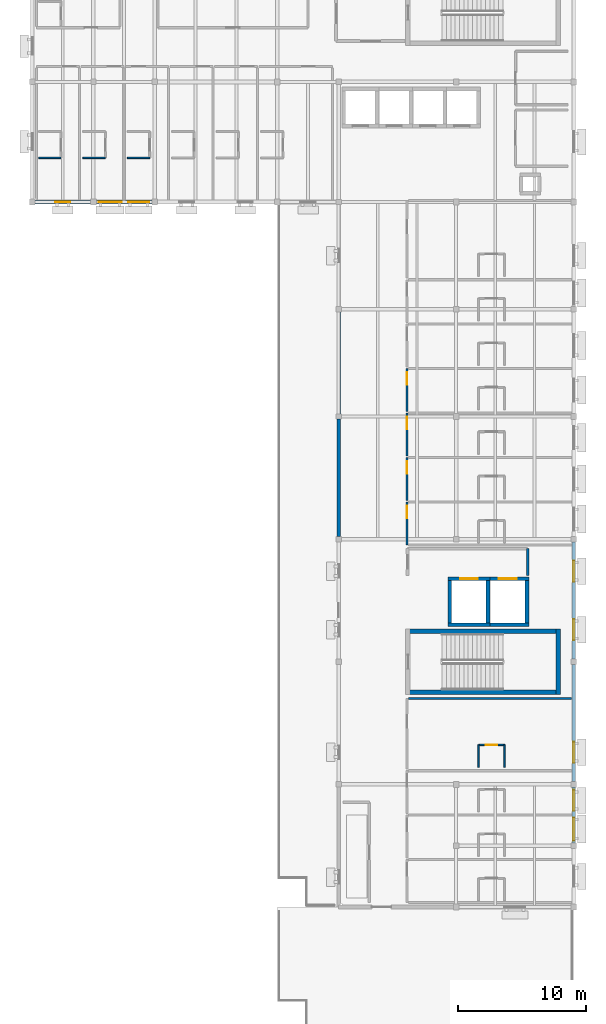
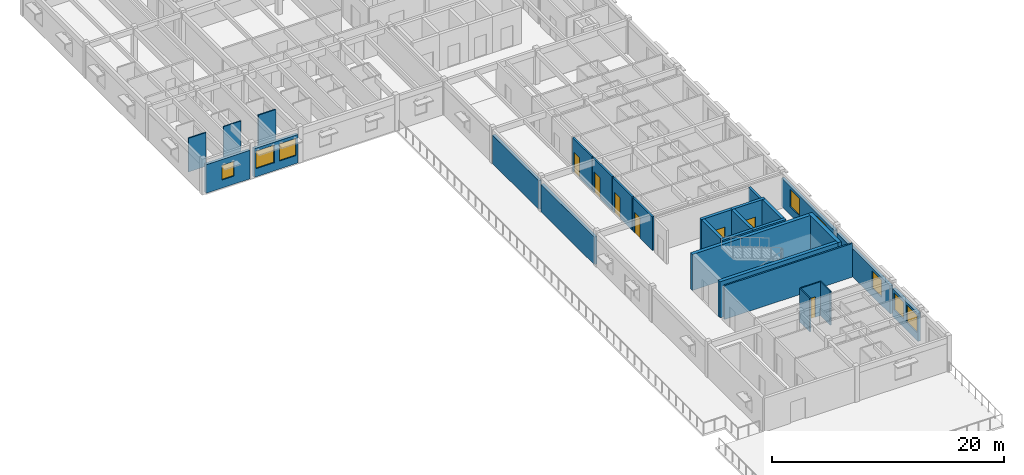
# One storey, part 6 of 18: 29 walls, 8 windows, 7 doors, 15 openings.
"""IFC4 building model written with IfcOpenShell, lengths in metres."""

from ifc_helpers import new_model, si_unit, direction, frame, frame_2d, origin, place, context, subcontext, project, spatial, rectangle, extrude, material, layer, layer_set, type_object, element, fill, save


model = new_model("IFC4")

# Units and contexts
model_context = context("Model", 3, precision=1e-05, world=origin(), true_north=direction((0.0, 1.0)))
body_context = subcontext(model_context, "Body", "Model", "MODEL_VIEW")
ifc_project = project(units=[si_unit("LENGTHUNIT", "METRE"), si_unit("AREAUNIT", "SQUARE_METRE"), si_unit("VOLUMEUNIT", "CUBIC_METRE"), si_unit("PLANEANGLEUNIT", "RADIAN"), si_unit("MASSUNIT", "GRAM", prefix="KILO")], contexts=[model_context])

# Site, building, storey
site_placement = place(None, origin())
site = spatial("IfcSite", under=ifc_project, at=site_placement, CompositionType="ELEMENT")
building_placement = place(site_placement, origin())
building = spatial("IfcBuilding", under=site, at=building_placement, Name="Veldera Park Congress Hotel", CompositionType="ELEMENT")
storey_placement = place(building_placement, frame((0.0, 0.0, 31.39990234375)))
storey = spatial("IfcBuildingStorey", under=building, at=storey_placement, Name="L07", CompositionType="ELEMENT", Elevation=31.39990234375)

# Wall, openings, windows
ifc_material_1 = material(Name="Cross-laminated timber CLT V2M1.1", Category="wood")
ifc_layer_1 = layer(ifc_material_1, 0.280029296875)
ifc_layer_set_1 = layer_set([ifc_layer_1], Name="Cross-laminated timber CLT V2M1.1")
wall_type_1 = type_object("IfcWallType", Name="EW-CLT280", PredefinedType="STANDARD", material=ifc_layer_set_1)
wall_1_placement = place(storey_placement, frame((84.0, -23.177001953125, 0.0), z_axis=(0.0, 0.0, 1.0), x_axis=(0.0, 1.0, 0.0)))
wall_1 = element("IfcWall", 1, at=wall_1_placement, inside=storey, type_object=wall_type_1, Name="L07 Exterior Wall EW3-L07-0343", PredefinedType="STANDARD", context=body_context, shape_type="SweptSolid", body=[
    extrude(rectangle(XDim=4.35400390625, YDim=0.280029296875, at=frame_2d((2.177001953125, 0.0))), origin(), (0.0, 0.0, 1.0), 2.97021484375),
])
opening_1_placement = place(wall_1_placement, frame((0.18359375, 0.0, 0.85009765625)))
opening_1 = element("IfcOpeningElement", 2, at=opening_1_placement, cuts=wall_1, Name="Opening WIN-1800", PredefinedType="OPENING", context=body_context, shape_type="SweptSolid", body=[
    extrude(rectangle(XDim=1.800048828125, YDim=1.85009765625, at=frame_2d((0.89990234375, 0.925048828125))), frame((0.0, 0.152099609375, 0.0), z_axis=(0.0, -1.0, 0.0), x_axis=(1.0, 0.0, 0.0)), (0.0, 0.0, 1.0), 0.303955078125),
])
opening_2_placement = place(wall_1_placement, frame((2.49560546875, 0.0, 0.85009765625)))
opening_2 = element("IfcOpeningElement", 3, at=opening_2_placement, cuts=wall_1, Name="Opening WIN-1650", PredefinedType="OPENING", context=body_context, shape_type="SweptSolid", body=[
    extrude(rectangle(XDim=1.64990234375, YDim=1.800048828125, at=frame_2d((0.824951171875, 0.89990234375))), frame((0.0, 0.152099609375, 0.0), z_axis=(0.0, -1.0, 0.0), x_axis=(1.0, 0.0, 0.0)), (0.0, 0.0, 1.0), 0.303955078125),
])
ifc_material_2 = material(Name="Low-E Triple Insulating Glass Unit (SHGC 0.22)", Category="glass")
window_type_1 = type_object("IfcWindowType", Name="WIN-1650", PartitioningType="SINGLE_PANEL", PredefinedType="WINDOW", material=ifc_material_2)
window_1_placement = place(opening_2_placement, origin())
window_1 = element("IfcWindow", 4, at=window_1_placement, inside=storey, type_object=window_type_1, Name="L07 Window WIN-1650 542", OverallHeight=1.800048828125, OverallWidth=1.64990234375, PartitioningType="SINGLE_PANEL", PredefinedType="WINDOW", context=body_context, shape_type="SweptSolid", body=[
    extrude(rectangle(XDim=1.64990234375, YDim=1.800048828125, at=frame_2d((0.824951171875, 0.89990234375))), frame((0.0, 0.030029296875, 0.0), z_axis=(0.0, -1.0, 0.0), x_axis=(1.0, 0.0, 0.0)), (0.0, 0.0, 1.0), 0.06005859375),
])
fill(opening_2, window_1)
window_type_2 = type_object("IfcWindowType", Name="WIN-1800", PartitioningType="SINGLE_PANEL", PredefinedType="WINDOW", material=ifc_material_2)
window_2_placement = place(opening_1_placement, origin())
window_2 = element("IfcWindow", 5, at=window_2_placement, inside=storey, type_object=window_type_2, Name="L07 Window WIN-1800 541", OverallHeight=1.85009765625, OverallWidth=1.800048828125, PartitioningType="SINGLE_PANEL", PredefinedType="WINDOW", context=body_context, shape_type="SweptSolid", body=[
    extrude(rectangle(XDim=1.800048828125, YDim=1.85009765625, at=frame_2d((0.89990234375, 0.925048828125))), frame((0.0, 0.030029296875, 0.0), z_axis=(0.0, -1.0, 0.0), x_axis=(1.0, 0.0, 0.0)), (0.0, 0.0, 1.0), 0.06005859375),
])
fill(opening_1, window_2)

# Wall, opening, window
wall_2_placement = place(storey_placement, frame((84.0, -18.376953125, 0.0), z_axis=(0.0, 0.0, 1.0), x_axis=(0.0, 1.0, 0.0)))
wall_2 = element("IfcWall", 6, at=wall_2_placement, inside=storey, type_object=wall_type_1, Name="L07 Exterior Wall EW3-L07-0344", PredefinedType="STANDARD", context=body_context, shape_type="SweptSolid", body=[
    extrude(rectangle(XDim=9.154052734375, YDim=0.280029296875, at=frame_2d((4.5771484375, 0.0))), origin(), (0.0, 0.0, 1.0), 2.97021484375),
])
opening_3_placement = place(wall_2_placement, frame((1.46337890625, 0.0, 0.85009765625)))
opening_3 = element("IfcOpeningElement", 7, at=opening_3_placement, cuts=wall_2, Name="Opening WIN-1650", PredefinedType="OPENING", context=body_context, shape_type="SweptSolid", body=[
    extrude(rectangle(XDim=1.64990234375, YDim=1.800048828125, at=frame_2d((0.824951171875, 0.89990234375))), frame((0.0, 0.152099609375, 0.0), z_axis=(0.0, -1.0, 0.0), x_axis=(1.0, 0.0, 0.0)), (0.0, 0.0, 1.0), 0.303955078125),
])
window_3_placement = place(opening_3_placement, origin())
window_3 = element("IfcWindow", 8, at=window_3_placement, inside=storey, type_object=window_type_1, Name="L07 Window WIN-1650 258", OverallHeight=1.800048828125, OverallWidth=1.64990234375, PartitioningType="SINGLE_PANEL", PredefinedType="WINDOW", context=body_context, shape_type="SweptSolid", body=[
    extrude(rectangle(XDim=1.64990234375, YDim=1.800048828125, at=frame_2d((0.824951171875, 0.89990234375))), frame((0.0, 0.030029296875, 0.0), z_axis=(0.0, -1.0, 0.0), x_axis=(1.0, 0.0, 0.0)), (0.0, 0.0, 1.0), 0.06005859375),
])
fill(opening_3, window_3)

# Wall, openings, windows
wall_3_placement = place(storey_placement, frame((84.0, -8.777099609375, 0.0), z_axis=(0.0, 0.0, 1.0), x_axis=(0.0, 1.0, 0.0)))
wall_3 = element("IfcWall", 9, at=wall_3_placement, inside=storey, type_object=wall_type_1, Name="L07 Exterior Wall EW3-L07-0345", PredefinedType="STANDARD", context=body_context, shape_type="SweptSolid", body=[
    extrude(rectangle(XDim=9.154052734375, YDim=0.280029296875, at=frame_2d((4.5771484375, 0.0))), origin(), (0.0, 0.0, 1.0), 2.97021484375),
])
opening_4_placement = place(wall_3_placement, frame((1.46337890625, 0.0, 0.85009765625)))
opening_4 = element("IfcOpeningElement", 10, at=opening_4_placement, cuts=wall_3, Name="Opening WIN-1650", PredefinedType="OPENING", context=body_context, shape_type="SweptSolid", body=[
    extrude(rectangle(XDim=1.64990234375, YDim=1.800048828125, at=frame_2d((0.824951171875, 0.89990234375))), frame((0.0, 0.152099609375, 0.0), z_axis=(0.0, -1.0, 0.0), x_axis=(1.0, 0.0, 0.0)), (0.0, 0.0, 1.0), 0.303955078125),
])
opening_5_placement = place(wall_3_placement, frame((6.04052734375, 0.0, 0.85009765625)))
opening_5 = element("IfcOpeningElement", 11, at=opening_5_placement, cuts=wall_3, Name="Opening WIN-1650", PredefinedType="OPENING", context=body_context, shape_type="SweptSolid", body=[
    extrude(rectangle(XDim=1.64990234375, YDim=1.800048828125, at=frame_2d((0.824951171875, 0.89990234375))), frame((0.0, 0.152099609375, 0.0), z_axis=(0.0, -1.0, 0.0), x_axis=(1.0, 0.0, 0.0)), (0.0, 0.0, 1.0), 0.303955078125),
])
window_4_placement = place(opening_4_placement, origin())
window_4 = element("IfcWindow", 12, at=window_4_placement, inside=storey, type_object=window_type_1, Name="L07 Window WIN-1650 259", OverallHeight=1.800048828125, OverallWidth=1.64990234375, PartitioningType="SINGLE_PANEL", PredefinedType="WINDOW", context=body_context, shape_type="SweptSolid", body=[
    extrude(rectangle(XDim=1.64990234375, YDim=1.800048828125, at=frame_2d((0.824951171875, 0.89990234375))), frame((0.0, 0.030029296875, 0.0), z_axis=(0.0, -1.0, 0.0), x_axis=(1.0, 0.0, 0.0)), (0.0, 0.0, 1.0), 0.06005859375),
])
fill(opening_4, window_4)
window_5_placement = place(opening_5_placement, origin())
window_5 = element("IfcWindow", 13, at=window_5_placement, inside=storey, type_object=window_type_1, Name="L07 Window WIN-1650 260", OverallHeight=1.800048828125, OverallWidth=1.64990234375, PartitioningType="SINGLE_PANEL", PredefinedType="WINDOW", context=body_context, shape_type="SweptSolid", body=[
    extrude(rectangle(XDim=1.64990234375, YDim=1.800048828125, at=frame_2d((0.824951171875, 0.89990234375))), frame((0.0, 0.030029296875, 0.0), z_axis=(0.0, -1.0, 0.0), x_axis=(1.0, 0.0, 0.0)), (0.0, 0.0, 1.0), 0.06005859375),
])
fill(opening_5, window_5)

# Wall, opening, window
wall_4_placement = place(storey_placement, frame((41.822998046875, 27.0, 0.0), z_axis=(0.0, 0.0, 1.0), x_axis=(1.0, 0.0, 0.0)))
wall_4 = element("IfcWall", 14, at=wall_4_placement, inside=storey, type_object=wall_type_1, Name="L07 Exterior Wall EW3-L07-0359", PredefinedType="STANDARD", context=body_context, shape_type="SweptSolid", body=[
    extrude(rectangle(XDim=4.35400390625, YDim=0.280029296875, at=frame_2d((2.177001953125, 0.0))), origin(), (0.0, 0.0, 1.0), 3.010009765625),
])
opening_6_placement = place(wall_4_placement, frame((1.576904296875, 0.0, 0.85009765625)))
opening_6 = element("IfcOpeningElement", 15, at=opening_6_placement, cuts=wall_4, Name="Opening WIN-1200", PredefinedType="OPENING", context=body_context, shape_type="SweptSolid", body=[
    extrude(rectangle(XDim=1.199951171875, YDim=1.550048828125, at=frame_2d((0.60009765625, 0.77490234375))), frame((0.0, 0.152099609375, 0.0), z_axis=(0.0, -1.0, 0.0), x_axis=(1.0, 0.0, 0.0)), (0.0, 0.0, 1.0), 0.303955078125),
])
window_type_3 = type_object("IfcWindowType", Name="WIN-1200", PartitioningType="SINGLE_PANEL", PredefinedType="WINDOW", material=ifc_material_2)
window_6_placement = place(opening_6_placement, origin())
window_6 = element("IfcWindow", 16, at=window_6_placement, inside=storey, type_object=window_type_3, Name="L07 Window WIN-1200 273", OverallHeight=1.550048828125, OverallWidth=1.199951171875, PartitioningType="SINGLE_PANEL", PredefinedType="WINDOW", context=body_context, shape_type="SweptSolid", body=[
    extrude(rectangle(XDim=1.199951171875, YDim=1.550048828125, at=frame_2d((0.60009765625, 0.77490234375))), frame((0.0, 0.030029296875, 0.0), z_axis=(0.0, -1.0, 0.0), x_axis=(1.0, 0.0, 0.0)), (0.0, 0.0, 1.0), 0.06005859375),
])
fill(opening_6, window_6)

# Wall, openings, windows
wall_5_placement = place(storey_placement, frame((46.623046875, 27.0, 0.0), z_axis=(0.0, 0.0, 1.0), x_axis=(1.0, 0.0, 0.0)))
wall_5 = element("IfcWall", 17, at=wall_5_placement, inside=storey, type_object=wall_type_1, Name="L07 Exterior Wall EW3-L07-0360", PredefinedType="STANDARD", context=body_context, shape_type="SweptSolid", body=[
    extrude(rectangle(XDim=4.35400390625, YDim=0.280029296875, at=frame_2d((2.177001953125, 0.0))), origin(), (0.0, 0.0, 1.0), 3.010009765625),
])
opening_7_placement = place(wall_5_placement, frame((0.18359375, 0.0, 0.85009765625)))
opening_7 = element("IfcOpeningElement", 18, at=opening_7_placement, cuts=wall_5, Name="Opening WIN-1800", PredefinedType="OPENING", context=body_context, shape_type="SweptSolid", body=[
    extrude(rectangle(XDim=1.800048828125, YDim=1.85009765625, at=frame_2d((0.89990234375, 0.925048828125))), frame((0.0, 0.152099609375, 0.0), z_axis=(0.0, -1.0, 0.0), x_axis=(1.0, 0.0, 0.0)), (0.0, 0.0, 1.0), 0.303955078125),
])
opening_8_placement = place(wall_5_placement, frame((2.49560546875, 0.0, 0.85009765625)))
opening_8 = element("IfcOpeningElement", 19, at=opening_8_placement, cuts=wall_5, Name="Opening WIN-1650", PredefinedType="OPENING", context=body_context, shape_type="SweptSolid", body=[
    extrude(rectangle(XDim=1.64990234375, YDim=1.800048828125, at=frame_2d((0.824951171875, 0.89990234375))), frame((0.0, 0.152099609375, 0.0), z_axis=(0.0, -1.0, 0.0), x_axis=(1.0, 0.0, 0.0)), (0.0, 0.0, 1.0), 0.303955078125),
])
window_7_placement = place(opening_8_placement, origin())
window_7 = element("IfcWindow", 20, at=window_7_placement, inside=storey, type_object=window_type_1, Name="L07 Window WIN-1650 550", OverallHeight=1.800048828125, OverallWidth=1.64990234375, PartitioningType="SINGLE_PANEL", PredefinedType="WINDOW", context=body_context, shape_type="SweptSolid", body=[
    extrude(rectangle(XDim=1.64990234375, YDim=1.800048828125, at=frame_2d((0.824951171875, 0.89990234375))), frame((0.0, 0.030029296875, 0.0), z_axis=(0.0, -1.0, 0.0), x_axis=(1.0, 0.0, 0.0)), (0.0, 0.0, 1.0), 0.06005859375),
])
fill(opening_8, window_7)
window_8_placement = place(opening_7_placement, origin())
window_8 = element("IfcWindow", 21, at=window_8_placement, inside=storey, type_object=window_type_2, Name="L07 Window WIN-1800 549", OverallHeight=1.85009765625, OverallWidth=1.800048828125, PartitioningType="SINGLE_PANEL", PredefinedType="WINDOW", context=body_context, shape_type="SweptSolid", body=[
    extrude(rectangle(XDim=1.800048828125, YDim=1.85009765625, at=frame_2d((0.89990234375, 0.925048828125))), frame((0.0, 0.030029296875, 0.0), z_axis=(0.0, -1.0, 0.0), x_axis=(1.0, 0.0, 0.0)), (0.0, 0.0, 1.0), 0.06005859375),
])
fill(opening_7, window_8)

# Walls
wall_6_placement = place(storey_placement, frame((65.60009765625, 18.39208984375, 0.0), z_axis=(0.0, 0.0, 1.0), x_axis=(0.0, -1.0, 0.0)))
element("IfcWall", 22, at=wall_6_placement, inside=storey, type_object=wall_type_1, Name="L07 Exterior Wall EW3-L07-0364", PredefinedType="STANDARD", context=body_context, shape_type="SweptSolid", body=[
    extrude(rectangle(XDim=7.984130859375, YDim=0.280029296875, at=frame_2d((3.9921875, 0.0))), origin(), (0.0, 0.0, 1.0), 3.010009765625),
])
wall_7_placement = place(storey_placement, frame((65.60009765625, 9.991943359375, 0.0), z_axis=(0.0, 0.0, 1.0), x_axis=(0.0, -1.0, 0.0)))
element("IfcWall", 23, at=wall_7_placement, inside=storey, type_object=wall_type_1, Name="L07 Exterior Wall EW3-L07-0365", PredefinedType="STANDARD", context=body_context, shape_type="SweptSolid", body=[
    extrude(rectangle(XDim=9.183837890625, YDim=0.280029296875, at=frame_2d((4.591796875, 0.0))), origin(), (0.0, 0.0, 1.0), 2.91015625),
])
ifc_material_3 = material(Name="Fire-Rated Gypsum Board on Cold-Formed Steel Studs", Category="steel")
ifc_layer_2 = layer(ifc_material_3, 0.1201171875)
ifc_layer_set_2 = layer_set([ifc_layer_2], Name="Fire-Rated Gypsum Board on Cold-Formed Steel Studs")
wall_type_2 = type_object("IfcWallType", Name="IW-BATH120", PredefinedType="PARTITIONING", material=ifc_layer_set_2)
for number, where, z_axis, x_axis, name in (
    (24, (76.550048828125, -17.260009765625, 0.0), (0.0, 0.0, 1.0), (0.0, 1.0, 0.0), "L07 Partition Wall IW3-L07-01392"),
    (25, (78.60009765625, -17.260009765625, 0.0), (0.0, 0.0, 1.0), (0.0, 1.0, 0.0), "L07 Partition Wall IW3-L07-01393"),
):
    element("IfcWall", number, at=place(storey_placement, frame(where, z_axis=z_axis, x_axis=x_axis)), inside=storey, type_object=wall_type_2, Name=name, PredefinedType="PARTITIONING", context=body_context, shape_type="SweptSolid", body=[
        extrude(rectangle(XDim=1.75, YDim=0.1201171875, at=frame_2d((0.875, 0.0))), origin(), (0.0, 0.0, 1.0), 3.55517578125),
    ])

# Wall, opening, door
wall_8_placement = place(storey_placement, frame((76.550048828125, -15.510009765625, 0.0), z_axis=(0.0, 0.0, 1.0), x_axis=(1.0, 0.0, 0.0)))
wall_8 = element("IfcWall", 26, at=wall_8_placement, inside=storey, type_object=wall_type_2, Name="L07 Partition Wall IW3-L07-01394", PredefinedType="PARTITIONING", context=body_context, shape_type="SweptSolid", body=[
    extrude(rectangle(XDim=2.050048828125, YDim=0.1201171875, at=frame_2d((1.02490234375, 0.0))), origin(), (0.0, 0.0, 1.0), 3.55517578125),
])
opening_9_placement = place(wall_8_placement, frame((0.574951171875, 0.0, 0.0)))
opening_9 = element("IfcOpeningElement", 27, at=opening_9_placement, cuts=wall_8, Name="Opening ID-BATH090", PredefinedType="OPENING", context=body_context, shape_type="SweptSolid", body=[
    extrude(rectangle(XDim=0.89990234375, YDim=2.14990234375, at=frame_2d((0.449951171875, 1.074951171875))), frame((0.0, 0.072021484375, 0.0), z_axis=(0.0, -1.0, 0.0), x_axis=(1.0, 0.0, 0.0)), (0.0, 0.0, 1.0), 0.14404296875),
])
ifc_material_4 = material(Name="Solid Core White Oak Architectural Door", Category="wood")
door_type_1 = type_object("IfcDoorType", Name="ID-BATH090", OperationType="NOTDEFINED", PredefinedType="DOOR", material=ifc_material_4)
door_1_placement = place(opening_9_placement, origin())
door_1 = element("IfcDoor", 28, at=door_1_placement, inside=storey, type_object=door_type_1, Name="L07 En-suite 220 Door ID3-L07-0579 (DR3-ID3-L07-0579)", OperationType="SINGLE_SWING_LEFT", OverallHeight=2.14990234375, OverallWidth=0.89990234375, PredefinedType="DOOR", context=body_context, shape_type="SweptSolid", body=[
    extrude(rectangle(XDim=0.89990234375, YDim=2.14990234375, at=frame_2d((0.449951171875, 1.074951171875))), frame((0.0, 0.02490234375, 0.0), z_axis=(0.0, -1.0, 0.0), x_axis=(1.0, 0.0, 0.0)), (0.0, 0.0, 1.0), 0.050048828125),
])
fill(opening_9, door_1)

# Walls
for number, where, z_axis, x_axis, name in (
    (29, (42.10009765625, 30.449951171875, 0.0), (0.0, 0.0, 1.0), (1.0, 0.0, 0.0), "L07 Partition Wall IW3-L07-01436"),
    (30, (45.580078125, 30.449951171875, 0.0), (0.0, 0.0, 1.0), (1.0, 0.0, 0.0), "L07 Partition Wall IW3-L07-01441"),
    (31, (49.06005859375, 30.449951171875, 0.0), (0.0, 0.0, 1.0), (1.0, 0.0, 0.0), "L07 Partition Wall IW3-L07-01446"),
):
    element("IfcWall", number, at=place(storey_placement, frame(where, z_axis=z_axis, x_axis=x_axis)), inside=storey, type_object=wall_type_2, Name=name, PredefinedType="PARTITIONING", context=body_context, shape_type="SweptSolid", body=[
        extrude(rectangle(XDim=1.75, YDim=0.1201171875, at=frame_2d((0.875, 0.0))), origin(), (0.0, 0.0, 1.0), 3.55517578125),
    ])

# Wall, opening, door
ifc_layer_3 = layer(ifc_material_3, 0.179931640625)
ifc_layer_set_3 = layer_set([ifc_layer_3], Name="Fire-Rated Gypsum Board on Cold-Formed Steel Studs")
wall_type_3 = type_object("IfcWallType", Name="IW-CORR180", PredefinedType="PARTITIONING", material=ifc_layer_set_3)
wall_9_placement = place(storey_placement, frame((70.949951171875, 3.510009765625, 0.0), z_axis=(0.0, 0.0, 1.0), x_axis=(0.0, -1.0, 0.0)))
wall_9 = element("IfcWall", 32, at=wall_9_placement, inside=storey, type_object=wall_type_3, Name="L07 Corridor Wall IW3-L07-01395", PredefinedType="PARTITIONING", context=body_context, shape_type="SweptSolid", body=[
    extrude(rectangle(XDim=3.360107421875, YDim=0.179931640625, at=frame_2d((1.68017578125, 0.0))), origin(), (0.0, 0.0, 1.0), 3.55517578125),
])
opening_10_placement = place(wall_9_placement, frame((0.280029296875, 0.0, 0.0)))
opening_10 = element("IfcOpeningElement", 33, at=opening_10_placement, cuts=wall_9, Name="Opening ID-UNIT098", PredefinedType="OPENING", context=body_context, shape_type="SweptSolid", body=[
    extrude(rectangle(XDim=0.97998046875, YDim=2.179931640625, at=frame_2d((0.489990234375, 1.08984375))), frame((0.0, 0.10205078125, 0.0), z_axis=(0.0, -1.0, 0.0), x_axis=(1.0, 0.0, 0.0)), (0.0, 0.0, 1.0), 0.203857421875),
])
door_type_2 = type_object("IfcDoorType", Name="ID-UNIT098", OperationType="NOTDEFINED", PredefinedType="DOOR", material=ifc_material_4)
door_2_placement = place(opening_10_placement, origin())
door_2 = element("IfcDoor", 34, at=door_2_placement, inside=storey, type_object=door_type_2, Name="L07 Guestroom 221 Entry Door (DR3-UD3-L07-221)", OperationType="SINGLE_SWING_RIGHT", OverallHeight=2.179931640625, OverallWidth=0.97998046875, PredefinedType="DOOR", context=body_context, shape_type="SweptSolid", body=[
    extrude(rectangle(XDim=0.97998046875, YDim=2.179931640625, at=frame_2d((0.489990234375, 1.08984375))), frame((0.0, 0.02490234375, 0.0), z_axis=(0.0, -1.0, 0.0), x_axis=(1.0, 0.0, 0.0)), (0.0, 0.0, 1.0), 0.050048828125),
])
fill(opening_10, door_2)

wall_10_placement = place(storey_placement, frame((70.949951171875, 6.989990234375, 0.0), z_axis=(0.0, 0.0, 1.0), x_axis=(0.0, -1.0, 0.0)))
wall_10 = element("IfcWall", 35, at=wall_10_placement, inside=storey, type_object=wall_type_3, Name="L07 Corridor Wall IW3-L07-01401", PredefinedType="PARTITIONING", context=body_context, shape_type="SweptSolid", body=[
    extrude(rectangle(XDim=3.360107421875, YDim=0.179931640625, at=frame_2d((1.68017578125, 0.0))), origin(), (0.0, 0.0, 1.0), 3.55517578125),
])
opening_11_placement = place(wall_10_placement, frame((0.280029296875, 0.0, 0.0)))
opening_11 = element("IfcOpeningElement", 36, at=opening_11_placement, cuts=wall_10, Name="Opening ID-UNIT098", PredefinedType="OPENING", context=body_context, shape_type="SweptSolid", body=[
    extrude(rectangle(XDim=0.97998046875, YDim=2.179931640625, at=frame_2d((0.489990234375, 1.08984375))), frame((0.0, 0.10205078125, 0.0), z_axis=(0.0, -1.0, 0.0), x_axis=(1.0, 0.0, 0.0)), (0.0, 0.0, 1.0), 0.203857421875),
])
door_3_placement = place(opening_11_placement, origin())
door_3 = element("IfcDoor", 37, at=door_3_placement, inside=storey, type_object=door_type_2, Name="L07 Guestroom 222 Entry Door (DR3-UD3-L07-222)", OperationType="SINGLE_SWING_RIGHT", OverallHeight=2.179931640625, OverallWidth=0.97998046875, PredefinedType="DOOR", context=body_context, shape_type="SweptSolid", body=[
    extrude(rectangle(XDim=0.97998046875, YDim=2.179931640625, at=frame_2d((0.489990234375, 1.08984375))), frame((0.0, 0.02490234375, 0.0), z_axis=(0.0, -1.0, 0.0), x_axis=(1.0, 0.0, 0.0)), (0.0, 0.0, 1.0), 0.050048828125),
])
fill(opening_11, door_3)

wall_11_placement = place(storey_placement, frame((70.949951171875, 10.469970703125, 0.0), z_axis=(0.0, 0.0, 1.0), x_axis=(0.0, -1.0, 0.0)))
wall_11 = element("IfcWall", 38, at=wall_11_placement, inside=storey, type_object=wall_type_3, Name="L07 Corridor Wall IW3-L07-01406", PredefinedType="PARTITIONING", context=body_context, shape_type="SweptSolid", body=[
    extrude(rectangle(XDim=3.35986328125, YDim=0.179931640625, at=frame_2d((1.679931640625, 0.0))), origin(), (0.0, 0.0, 1.0), 3.55517578125),
])
opening_12_placement = place(wall_11_placement, frame((0.280029296875, 0.0, 0.0)))
opening_12 = element("IfcOpeningElement", 39, at=opening_12_placement, cuts=wall_11, Name="Opening ID-UNIT098", PredefinedType="OPENING", context=body_context, shape_type="SweptSolid", body=[
    extrude(rectangle(XDim=0.97998046875, YDim=2.179931640625, at=frame_2d((0.489990234375, 1.08984375))), frame((0.0, 0.10205078125, 0.0), z_axis=(0.0, -1.0, 0.0), x_axis=(1.0, 0.0, 0.0)), (0.0, 0.0, 1.0), 0.203857421875),
])
door_4_placement = place(opening_12_placement, origin())
door_4 = element("IfcDoor", 40, at=door_4_placement, inside=storey, type_object=door_type_2, Name="L07 Guestroom 223 Entry Door (DR3-UD3-L07-223)", OperationType="SINGLE_SWING_RIGHT", OverallHeight=2.179931640625, OverallWidth=0.97998046875, PredefinedType="DOOR", context=body_context, shape_type="SweptSolid", body=[
    extrude(rectangle(XDim=0.97998046875, YDim=2.179931640625, at=frame_2d((0.489990234375, 1.08984375))), frame((0.0, 0.02490234375, 0.0), z_axis=(0.0, -1.0, 0.0), x_axis=(1.0, 0.0, 0.0)), (0.0, 0.0, 1.0), 0.050048828125),
])
fill(opening_12, door_4)

wall_12_placement = place(storey_placement, frame((70.949951171875, 13.949951171875, 0.0), z_axis=(0.0, 0.0, 1.0), x_axis=(0.0, -1.0, 0.0)))
wall_12 = element("IfcWall", 41, at=wall_12_placement, inside=storey, type_object=wall_type_3, Name="L07 Corridor Wall IW3-L07-01411", PredefinedType="PARTITIONING", context=body_context, shape_type="SweptSolid", body=[
    extrude(rectangle(XDim=3.35986328125, YDim=0.179931640625, at=frame_2d((1.679931640625, 0.0))), origin(), (0.0, 0.0, 1.0), 3.55517578125),
])
opening_13_placement = place(wall_12_placement, frame((0.280029296875, 0.0, 0.0)))
opening_13 = element("IfcOpeningElement", 42, at=opening_13_placement, cuts=wall_12, Name="Opening ID-UNIT098", PredefinedType="OPENING", context=body_context, shape_type="SweptSolid", body=[
    extrude(rectangle(XDim=0.97998046875, YDim=2.179931640625, at=frame_2d((0.489990234375, 1.08984375))), frame((0.0, 0.10205078125, 0.0), z_axis=(0.0, -1.0, 0.0), x_axis=(1.0, 0.0, 0.0)), (0.0, 0.0, 1.0), 0.203857421875),
])
door_5_placement = place(opening_13_placement, origin())
door_5 = element("IfcDoor", 43, at=door_5_placement, inside=storey, type_object=door_type_2, Name="L07 Guestroom 224 Entry Door (DR3-UD3-L07-224)", OperationType="SINGLE_SWING_RIGHT", OverallHeight=2.179931640625, OverallWidth=0.97998046875, PredefinedType="DOOR", context=body_context, shape_type="SweptSolid", body=[
    extrude(rectangle(XDim=0.97998046875, YDim=2.179931640625, at=frame_2d((0.489990234375, 1.08984375))), frame((0.0, 0.02490234375, 0.0), z_axis=(0.0, -1.0, 0.0), x_axis=(1.0, 0.0, 0.0)), (0.0, 0.0, 1.0), 0.050048828125),
])
fill(opening_13, door_5)

# Walls
ifc_material_5 = material(Name="Concrete f'c 40 MPa (5,800 psi)", Category="concrete")
ifc_layer_4 = layer(ifc_material_5, 0.219970703125)
ifc_layer_set_4 = layer_set([ifc_layer_4], Name="Concrete f'c 40 MPa (5,800 psi)")
wall_type_4 = type_object("IfcWallType", Name="IW-FIRE220", PredefinedType="STANDARD", material=ifc_layer_set_4)
wall_13_placement = place(storey_placement, frame((80.39990234375, -2.25, 0.0), z_axis=(0.0, 0.0, 1.0), x_axis=(0.0, 1.0, 0.0)))
element("IfcWall", 44, at=wall_13_placement, inside=storey, type_object=wall_type_4, Name="L07 Partition Wall IW3-L07-00287", PredefinedType="STANDARD", context=body_context, shape_type="SweptSolid", body=[
    extrude(rectangle(XDim=2.10009765625, YDim=0.219970703125, at=frame_2d((1.050048828125, 0.0))), origin(), (0.0, 0.0, 1.0), 3.55517578125),
])
ifc_layer_5 = layer(ifc_material_1, 0.159912109375)
ifc_layer_set_5 = layer_set([ifc_layer_5], Name="Cross-laminated timber CLT V2M1.1")
wall_type_5 = type_object("IfcWallType", Name="IW-UNIT160", PredefinedType="PARTITIONING", material=ifc_layer_set_5)
wall_14_placement = place(storey_placement, frame((71.050048828125, -11.8701171875, 0.0), z_axis=(0.0, 0.0, 1.0), x_axis=(1.0, 0.0, 0.0)))
element("IfcWall", 45, at=wall_14_placement, inside=storey, type_object=wall_type_5, Name="L07 Partition Wall IW3-L07-01391", PredefinedType="PARTITIONING", context=body_context, shape_type="SweptSolid", body=[
    extrude(rectangle(XDim=12.7900390625, YDim=0.159912109375, at=frame_2d((6.39501953125, 0.0))), origin(), (0.0, 0.0, 1.0), 3.55517578125),
])
ifc_layer_6 = layer(ifc_material_5, 0.35009765625)
ifc_layer_set_6 = layer_set([ifc_layer_6], Name="Concrete f'c 40 MPa (5,800 psi)")
wall_type_6 = type_object("IfcWallType", Name="SW-CORE350", PredefinedType="SHEAR", material=ifc_layer_set_6)
wall_15_placement = place(storey_placement, frame((70.85009765625, -11.375, 0.0), z_axis=(0.0, 0.0, 1.0), x_axis=(1.0, 0.0, 0.0)))
element("IfcWall", 46, at=wall_15_placement, inside=storey, type_object=wall_type_6, Name="Stair ST2 Core Wall L07-S", PredefinedType="SHEAR", context=body_context, shape_type="SweptSolid", body=[
    extrude(rectangle(XDim=12.099853515625, YDim=0.35009765625, at=frame_2d((6.0498046875, 0.0))), origin(), (0.0, 0.0, 1.0), 3.800048828125),
])
wall_16_placement = place(storey_placement, frame((82.77490234375, -11.550048828125, 0.0), z_axis=(0.0, 0.0, 1.0), x_axis=(0.0, 1.0, 0.0)))
element("IfcWall", 47, at=wall_16_placement, inside=storey, type_object=wall_type_6, Name="Stair ST2 Core Wall L07-E", PredefinedType="SHEAR", context=body_context, shape_type="SweptSolid", body=[
    extrude(rectangle(XDim=5.10009765625, YDim=0.35009765625, at=frame_2d((2.550048828125, 0.0))), origin(), (0.0, 0.0, 1.0), 3.800048828125),
])
wall_17_placement = place(storey_placement, frame((82.949951171875, -6.625, 0.0), z_axis=(0.0, 0.0, 1.0), x_axis=(-1.0, 0.0, 0.0)))
element("IfcWall", 48, at=wall_17_placement, inside=storey, type_object=wall_type_6, Name="Stair ST2 Core Wall L07-N", PredefinedType="SHEAR", context=body_context, shape_type="SweptSolid", body=[
    extrude(rectangle(XDim=12.099853515625, YDim=0.35009765625, at=frame_2d((6.0498046875, 0.0))), origin(), (0.0, 0.0, 1.0), 3.800048828125),
])
ifc_layer_7 = layer(ifc_material_5, 0.300048828125)
ifc_layer_set_7 = layer_set([ifc_layer_7], Name="Concrete f'c 40 MPa (5,800 psi)")
wall_type_7 = type_object("IfcWallType", Name="SW-SHFT300", PredefinedType="SHEAR", material=ifc_layer_set_7)
wall_18_placement = place(storey_placement, frame((74.14990234375, -6.10009765625, 0.0), z_axis=(0.0, 0.0, 1.0), x_axis=(1.0, 0.0, 0.0)))
element("IfcWall", 49, at=wall_18_placement, inside=storey, type_object=wall_type_7, Name="Lift SL-01 Shaft Wall L07-S", PredefinedType="SHEAR", context=body_context, shape_type="SweptSolid", body=[
    extrude(rectangle(XDim=3.300048828125, YDim=0.300048828125, at=frame_2d((1.64990234375, 0.0))), origin(), (0.0, 0.0, 1.0), 3.800048828125),
])

# Wall, opening, door
wall_19_placement = place(storey_placement, frame((77.449951171875, -2.5, 0.0), z_axis=(0.0, 0.0, 1.0), x_axis=(-1.0, 0.0, 0.0)))
wall_19 = element("IfcWall", 50, at=wall_19_placement, inside=storey, type_object=wall_type_7, Name="Lift SL-01 Shaft Wall L07-N", PredefinedType="SHEAR", context=body_context, shape_type="SweptSolid", body=[
    extrude(rectangle(XDim=3.300048828125, YDim=0.300048828125, at=frame_2d((1.64990234375, 0.0))), origin(), (0.0, 0.0, 1.0), 3.800048828125),
])
opening_14_placement = place(wall_19_placement, frame((0.949951171875, 0.0, 0.0)))
opening_14 = element("IfcOpeningElement", 51, at=opening_14_placement, cuts=wall_19, Name="Opening LD-140", PredefinedType="OPENING", context=body_context, shape_type="SweptSolid", body=[
    extrude(rectangle(XDim=1.39990234375, YDim=2.199951171875, at=frame_2d((0.699951171875, 1.10009765625))), frame((0.0, 0.162109375, 0.0), z_axis=(0.0, -1.0, 0.0), x_axis=(1.0, 0.0, 0.0)), (0.0, 0.0, 1.0), 0.323974609375),
])
ifc_material_6 = material(Name="Hollow Metal Fire-Rated Steel Door", Category="steel")
door_type_3 = type_object("IfcDoorType", Name="LD-140", OperationType="DOUBLE_DOOR_SLIDING", PredefinedType="DOOR", material=ifc_material_6)
door_6_placement = place(opening_14_placement, origin())
door_6 = element("IfcDoor", 52, at=door_6_placement, inside=storey, type_object=door_type_3, Name="L07 Lift SL-01 Landing Door (DR3-LD-SL-01-L07)", OperationType="DOUBLE_DOOR_SLIDING", OverallHeight=2.199951171875, OverallWidth=1.39990234375, PredefinedType="DOOR", context=body_context, shape_type="SweptSolid", body=[
    extrude(rectangle(XDim=1.39990234375, YDim=2.199951171875, at=frame_2d((0.699951171875, 1.10009765625))), frame((0.0, 0.02490234375, 0.0), z_axis=(0.0, -1.0, 0.0), x_axis=(1.0, 0.0, 0.0)), (0.0, 0.0, 1.0), 0.050048828125),
])
fill(opening_14, door_6)

# Walls
for number, where, z_axis, x_axis, name in (
    (53, (77.300048828125, -5.949951171875, 0.0), (0.0, 0.0, 1.0), (0.0, 1.0, 0.0), "Lift SL-01 Shaft Wall L07-E"),
    (54, (74.300048828125, -2.64990234375, 0.0), (0.0, 0.0, 1.0), (0.0, -1.0, 0.0), "Lift SL-01 Shaft Wall L07-W"),
    (55, (77.199951171875, -6.10009765625, 0.0), (0.0, 0.0, 1.0), (1.0, 0.0, 0.0), "Lift SL-02 Shaft Wall L07-S"),
):
    element("IfcWall", number, at=place(storey_placement, frame(where, z_axis=z_axis, x_axis=x_axis)), inside=storey, type_object=wall_type_7, Name=name, PredefinedType="SHEAR", context=body_context, shape_type="SweptSolid", body=[
        extrude(rectangle(XDim=3.300048828125, YDim=0.300048828125, at=frame_2d((1.64990234375, 0.0))), origin(), (0.0, 0.0, 1.0), 3.800048828125),
    ])

# Wall, opening, door
wall_20_placement = place(storey_placement, frame((80.5, -2.5, 0.0), z_axis=(0.0, 0.0, 1.0), x_axis=(-1.0, 0.0, 0.0)))
wall_20 = element("IfcWall", 56, at=wall_20_placement, inside=storey, type_object=wall_type_7, Name="Lift SL-02 Shaft Wall L07-N", PredefinedType="SHEAR", context=body_context, shape_type="SweptSolid", body=[
    extrude(rectangle(XDim=3.300048828125, YDim=0.300048828125, at=frame_2d((1.64990234375, 0.0))), origin(), (0.0, 0.0, 1.0), 3.800048828125),
])
opening_15_placement = place(wall_20_placement, frame((0.949951171875, 0.0, 0.0)))
opening_15 = element("IfcOpeningElement", 57, at=opening_15_placement, cuts=wall_20, Name="Opening LD-140", PredefinedType="OPENING", context=body_context, shape_type="SweptSolid", body=[
    extrude(rectangle(XDim=1.39990234375, YDim=2.199951171875, at=frame_2d((0.699951171875, 1.10009765625))), frame((0.0, 0.162109375, 0.0), z_axis=(0.0, -1.0, 0.0), x_axis=(1.0, 0.0, 0.0)), (0.0, 0.0, 1.0), 0.323974609375),
])
door_7_placement = place(opening_15_placement, origin())
door_7 = element("IfcDoor", 58, at=door_7_placement, inside=storey, type_object=door_type_3, Name="L07 Lift SL-02 Landing Door (DR3-LD-SL-02-L07)", OperationType="DOUBLE_DOOR_SLIDING", OverallHeight=2.199951171875, OverallWidth=1.39990234375, PredefinedType="DOOR", context=body_context, shape_type="SweptSolid", body=[
    extrude(rectangle(XDim=1.39990234375, YDim=2.199951171875, at=frame_2d((0.699951171875, 1.10009765625))), frame((0.0, 0.02490234375, 0.0), z_axis=(0.0, -1.0, 0.0), x_axis=(1.0, 0.0, 0.0)), (0.0, 0.0, 1.0), 0.050048828125),
])
fill(opening_15, door_7)

# Wall
wall_21_placement = place(storey_placement, frame((80.35009765625, -5.949951171875, 0.0), z_axis=(0.0, 0.0, 1.0), x_axis=(0.0, 1.0, 0.0)))
element("IfcWall", 59, at=wall_21_placement, inside=storey, type_object=wall_type_7, Name="Lift SL-02 Shaft Wall L07-E", PredefinedType="SHEAR", context=body_context, shape_type="SweptSolid", body=[
    extrude(rectangle(XDim=3.300048828125, YDim=0.300048828125, at=frame_2d((1.64990234375, 0.0))), origin(), (0.0, 0.0, 1.0), 3.800048828125),
])

save(model, "model.ifc")
